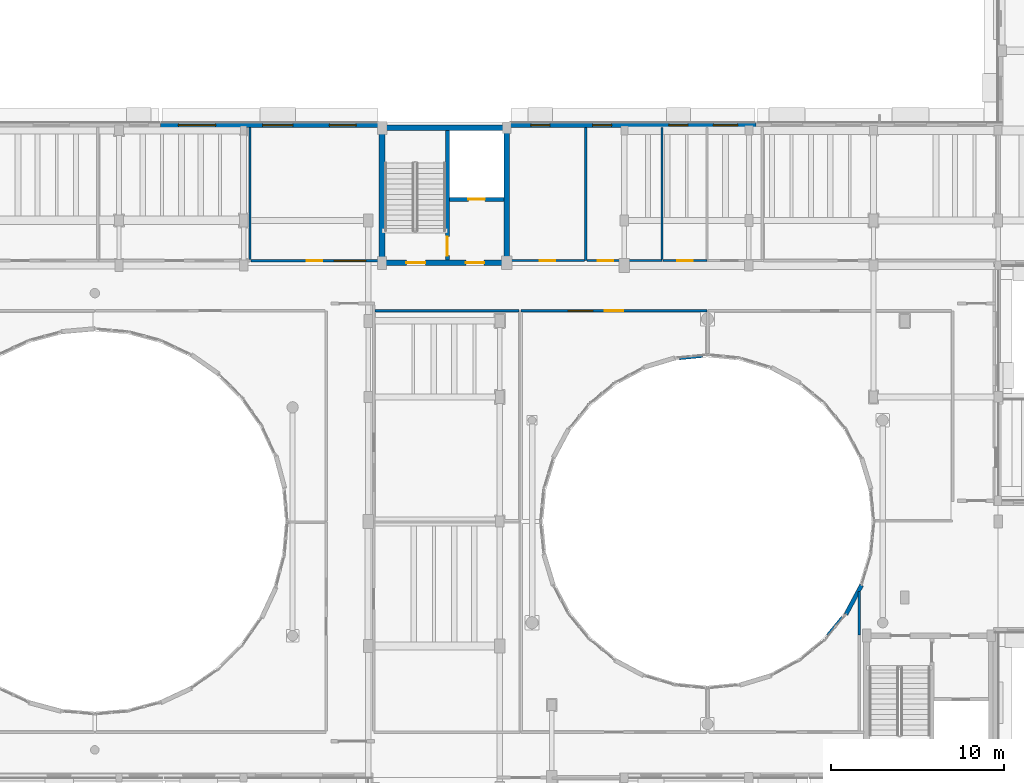
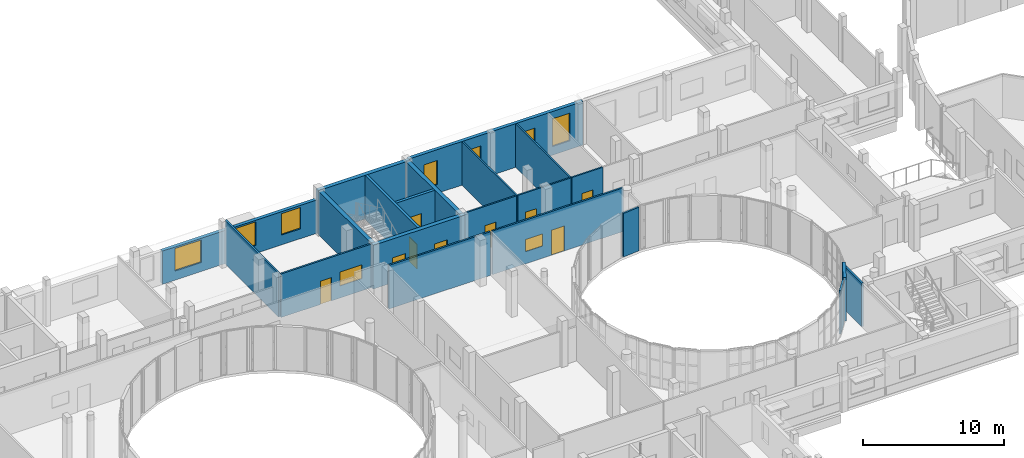
# One storey, part 71 of 92: 21 walls, 9 doors, 9 windows, 18 openings.
"""IFC4 building model written with IfcOpenShell, lengths in metres."""

from ifc_helpers import new_model, si_unit, direction, frame, frame_2d, origin, place, context, subcontext, project, spatial, rectangle, extrude, material, layer, layer_set, type_object, element, fill, save


model = new_model("IFC4")

# Units and contexts
model_context = context("Model", 3, precision=1e-05, world=origin(), true_north=direction((0.0, 1.0)))
body_context = subcontext(model_context, "Body", "Model", "MODEL_VIEW")
ifc_project = project(units=[si_unit("LENGTHUNIT", "METRE"), si_unit("AREAUNIT", "SQUARE_METRE"), si_unit("VOLUMEUNIT", "CUBIC_METRE"), si_unit("PLANEANGLEUNIT", "RADIAN"), si_unit("MASSUNIT", "GRAM", prefix="KILO")], contexts=[model_context])

# Site, building, storey
site_placement = place(None, origin())
site = spatial("IfcSite", under=ifc_project, at=site_placement, CompositionType="ELEMENT")
building_placement = place(site_placement, origin())
building = spatial("IfcBuilding", under=site, at=building_placement, Name="Kelanivale Promenade Academy", CompositionType="ELEMENT")
storey_placement = place(building_placement, frame((0.0, 0.0, 8.199951171875)))
storey = spatial("IfcBuildingStorey", under=building, at=storey_placement, Name="L02", CompositionType="ELEMENT", Elevation=8.199951171875)

# Wall, openings, doors
ifc_material_1 = material(Name="Concrete C40/50", Category="concrete")
ifc_layer_1 = layer(ifc_material_1, 0.330078125)
ifc_layer_set_1 = layer_set([ifc_layer_1], Name="Concrete C40/50")
wall_type_1 = type_object("IfcWallType", Name="CW-S1 Wall 330mm", PredefinedType="SHEAR", material=ifc_layer_set_1)
wall_1_placement = place(storey_placement, frame((79.8349609375, 71.75, 0.0), z_axis=(0.0, 0.0, 1.0), x_axis=(1.0, 0.0, 0.0)))
wall_1 = element("IfcWall", 1, at=wall_1_placement, inside=storey, type_object=wall_type_1, Name="CORE-2 RC shear wall S L02", PredefinedType="SHEAR", context=body_context, shape_type="SweptSolid", body=[
    extrude(rectangle(XDim=7.530029296875, YDim=0.330078125, at=frame_2d((3.76513671875, 0.0))), origin(), (0.0, 0.0, 1.0), 3.780029296875),
])
opening_1_placement = place(wall_1_placement, frame((5.014892578125, 0.0, 0.0)))
opening_1 = element("IfcOpeningElement", 2, at=opening_1_placement, cuts=wall_1, Name="Opening FD-CORE-2-LB-L02", PredefinedType="OPENING", context=body_context, shape_type="SweptSolid", body=[
    extrude(rectangle(XDim=1.050048828125, YDim=2.14990234375, at=frame_2d((0.52490234375, 1.074951171875))), frame((0.0, 0.175048828125, 0.0), z_axis=(0.0, -1.0, 0.0), x_axis=(1.0, 0.0, 0.0)), (0.0, 0.0, 1.0), 0.35009765625),
])
opening_2_placement = place(wall_1_placement, frame((1.56494140625, 0.0, 0.0)))
opening_2 = element("IfcOpeningElement", 3, at=opening_2_placement, cuts=wall_1, Name="Opening FD-CORE-2-ST-L02", PredefinedType="OPENING", context=body_context, shape_type="SweptSolid", body=[
    extrude(rectangle(XDim=1.10009765625, YDim=2.14990234375, at=frame_2d((0.550048828125, 1.074951171875))), frame((0.0, 0.175048828125, 0.0), z_axis=(0.0, -1.0, 0.0), x_axis=(1.0, 0.0, 0.0)), (0.0, 0.0, 1.0), 0.35009765625),
])
ifc_material_2 = material(Name="Fire-rated steel-core teak veneer", Category="steel")
door_type_1 = type_object("IfcDoorType", Name="DT-F01 Door 1100x2150", OperationType="NOTDEFINED", PredefinedType="DOOR", material=ifc_material_2)
door_1_placement = place(opening_2_placement, frame((1.10009765625, 0.0, 0.0), z_axis=(0.0, 0.0, 1.0), x_axis=(-1.0, 0.0, 0.0)))
door_1 = element("IfcDoor", 4, at=door_1_placement, inside=storey, type_object=door_type_1, Name="CORE-2 protected stair fire door L02", OperationType="SINGLE_SWING_LEFT", OverallHeight=2.14990234375, OverallWidth=1.10009765625, PredefinedType="DOOR", context=body_context, shape_type="SweptSolid", body=[
    extrude(rectangle(XDim=1.10009765625, YDim=2.14990234375, at=frame_2d((0.550048828125, 1.074951171875))), frame((0.0, 0.02490234375, 0.0), z_axis=(0.0, -1.0, 0.0), x_axis=(1.0, 0.0, 0.0)), (0.0, 0.0, 1.0), 0.050048828125),
])
fill(opening_2, door_1)
door_type_2 = type_object("IfcDoorType", Name="DT-F03 Door 1050x2150", OperationType="NOTDEFINED", PredefinedType="DOOR", material=ifc_material_2)
door_2_placement = place(opening_1_placement, origin())
door_2 = element("IfcDoor", 5, at=door_2_placement, inside=storey, type_object=door_type_2, Name="CORE-2 corridor-to-lobby fire door L02", OperationType="SINGLE_SWING_RIGHT", OverallHeight=2.14990234375, OverallWidth=1.050048828125, PredefinedType="DOOR", context=body_context, shape_type="SweptSolid", body=[
    extrude(rectangle(XDim=1.050048828125, YDim=2.14990234375, at=frame_2d((0.52490234375, 1.074951171875))), frame((0.0, 0.02490234375, 0.0), z_axis=(0.0, -1.0, 0.0), x_axis=(1.0, 0.0, 0.0)), (0.0, 0.0, 1.0), 0.050048828125),
])
fill(opening_1, door_2)

# Walls
wall_2_placement = place(storey_placement, frame((79.8349609375, 79.550048828125, 0.0), z_axis=(0.0, 0.0, 1.0), x_axis=(1.0, 0.0, 0.0)))
element("IfcWall", 6, at=wall_2_placement, inside=storey, type_object=wall_type_1, Name="CORE-2 RC shear wall N L02", PredefinedType="SHEAR", context=body_context, shape_type="SweptSolid", body=[
    extrude(rectangle(XDim=7.530029296875, YDim=0.330078125, at=frame_2d((3.76513671875, 0.0))), origin(), (0.0, 0.0, 1.0), 3.780029296875),
])
for number, where, z_axis, x_axis, name in (
    (7, (80.0, 71.9150390625, 0.0), (0.0, 0.0, 1.0), (0.0, 1.0, 0.0), "CORE-2 RC shear wall W L02"),
    (8, (87.199951171875, 71.9150390625, 0.0), (0.0, 0.0, 1.0), (0.0, 1.0, 0.0), "CORE-2 RC shear wall E L02"),
):
    element("IfcWall", number, at=place(storey_placement, frame(where, z_axis=z_axis, x_axis=x_axis)), inside=storey, type_object=wall_type_1, Name=name, PredefinedType="SHEAR", context=body_context, shape_type="SweptSolid", body=[
        extrude(rectangle(XDim=7.469970703125, YDim=0.330078125, at=frame_2d((3.73486328125, 0.0))), origin(), (0.0, 0.0, 1.0), 3.780029296875),
    ])

# Wall, opening, door
ifc_layer_2 = layer(ifc_material_1, 0.22509765625)
ifc_layer_set_2 = layer_set([ifc_layer_2], Name="Concrete C40/50")
wall_type_2 = type_object("IfcWallType", Name="CW-S2 Wall 225mm", PredefinedType="SHEAR", material=ifc_layer_set_2)
wall_3_placement = place(storey_placement, frame((83.885009765625, 75.419921875, 0.0), z_axis=(0.0, 0.0, 1.0), x_axis=(1.0, 0.0, 0.0)))
wall_3 = element("IfcWall", 9, at=wall_3_placement, inside=storey, type_object=wall_type_2, Name="CORE-2 lift shaft front RC wall L02", PredefinedType="SHEAR", context=body_context, shape_type="SweptSolid", body=[
    extrude(rectangle(XDim=3.14990234375, YDim=0.22509765625, at=frame_2d((1.574951171875, 0.0))), origin(), (0.0, 0.0, 1.0), 3.780029296875),
])
opening_3_placement = place(wall_3_placement, frame((1.10009765625, 0.0, 0.0)))
opening_3 = element("IfcOpeningElement", 10, at=opening_3_placement, cuts=wall_3, Name="Opening LD-LF-FF2-L02", PredefinedType="OPENING", context=body_context, shape_type="SweptSolid", body=[
    extrude(rectangle(XDim=0.949951171875, YDim=2.14990234375, at=frame_2d((0.47509765625, 1.074951171875))), frame((0.0, 0.12255859375, 0.0), z_axis=(0.0, -1.0, 0.0), x_axis=(1.0, 0.0, 0.0)), (0.0, 0.0, 1.0), 0.2451171875),
])
door_type_3 = type_object("IfcDoorType", Name="LD-FF1 Door 950x2150", OperationType="NOTDEFINED", PredefinedType="DOOR", material=ifc_material_2)
door_3_placement = place(opening_3_placement, origin())
door_3 = element("IfcDoor", 11, at=door_3_placement, inside=storey, type_object=door_type_3, Name="Firefighting lift landing door LD-LF-FF2-L02", OperationType="SLIDING_TO_LEFT", OverallHeight=2.14990234375, OverallWidth=0.949951171875, PredefinedType="DOOR", context=body_context, shape_type="SweptSolid", body=[
    extrude(rectangle(XDim=0.949951171875, YDim=2.14990234375, at=frame_2d((0.47509765625, 1.074951171875))), frame((0.0, 0.02490234375, 0.0), z_axis=(0.0, -1.0, 0.0), x_axis=(1.0, 0.0, 0.0)), (0.0, 0.0, 1.0), 0.050048828125),
])
fill(opening_3, door_3)

ifc_layer_3 = layer(ifc_material_1, 0.219970703125)
ifc_layer_set_3 = layer_set([ifc_layer_3], Name="Concrete C40/50")
wall_type_3 = type_object("IfcWallType", Name="CW-S3 Wall 220mm", PredefinedType="SHEAR", material=ifc_layer_set_3)
wall_4_placement = place(storey_placement, frame((83.77490234375, 71.9150390625, 0.0), z_axis=(0.0, 0.0, 1.0), x_axis=(0.0, 1.0, 0.0)))
wall_4 = element("IfcWall", 12, at=wall_4_placement, inside=storey, type_object=wall_type_3, Name="CORE-2 stair-lobby dividing RC wall L02", PredefinedType="SHEAR", context=body_context, shape_type="SweptSolid", body=[
    extrude(rectangle(XDim=7.469970703125, YDim=0.219970703125, at=frame_2d((3.73486328125, 0.0))), origin(), (0.0, 0.0, 1.0), 3.780029296875),
])
opening_4_placement = place(wall_4_placement, frame((0.25, 0.0, 0.0)))
opening_4 = element("IfcOpeningElement", 13, at=opening_4_placement, cuts=wall_4, Name="Opening FD-CORE-2-SL-L02", PredefinedType="OPENING", context=body_context, shape_type="SweptSolid", body=[
    extrude(rectangle(XDim=1.10009765625, YDim=2.14990234375, at=frame_2d((0.550048828125, 1.074951171875))), frame((0.0, 0.1201171875, 0.0), z_axis=(0.0, -1.0, 0.0), x_axis=(1.0, 0.0, 0.0)), (0.0, 0.0, 1.0), 0.239990234375),
])
door_4_placement = place(opening_4_placement, origin())
door_4 = element("IfcDoor", 14, at=door_4_placement, inside=storey, type_object=door_type_1, Name="CORE-2 lobby-to-stair fire door L02", OperationType="SINGLE_SWING_LEFT", OverallHeight=2.14990234375, OverallWidth=1.10009765625, PredefinedType="DOOR", context=body_context, shape_type="SweptSolid", body=[
    extrude(rectangle(XDim=1.10009765625, YDim=2.14990234375, at=frame_2d((0.550048828125, 1.074951171875))), frame((0.0, 0.02490234375, 0.0), z_axis=(0.0, -1.0, 0.0), x_axis=(1.0, 0.0, 0.0)), (0.0, 0.0, 1.0), 0.050048828125),
])
fill(opening_4, door_4)

# Wall, openings, windows
ifc_material_3 = material(Name="Insulated ivory stucco masonry wall 280 mm", Category="masonry")
ifc_layer_4 = layer(ifc_material_3, 0.280029296875)
ifc_layer_set_4 = layer_set([ifc_layer_4], Name="Insulated ivory stucco masonry wall 280 mm")
wall_type_4 = type_object("IfcWallType", Name="EW-02 Wall 280mm", PredefinedType="SOLIDWALL", material=ifc_layer_set_4)
wall_5_placement = place(storey_placement, frame((101.623046875, 79.7099609375, 0.0), z_axis=(0.0, 0.0, 1.0), x_axis=(-1.0, 0.0, 0.0)))
wall_5 = element("IfcWall", 15, at=wall_5_placement, inside=storey, type_object=wall_type_4, Name="L02 exterior facade wall EW-L02-ORT-0434", PredefinedType="SOLIDWALL", context=body_context, shape_type="SweptSolid", body=[
    extrude(rectangle(XDim=14.258056640625, YDim=0.280029296875, at=frame_2d((7.12890625, 0.0))), origin(), (0.0, 0.0, 1.0), 3.780029296875),
])
opening_5_placement = place(wall_5_placement, frame((1.08203125, 0.0, 0.75)))
opening_5 = element("IfcOpeningElement", 16, at=opening_5_placement, cuts=wall_5, Name="Opening WT-13", PredefinedType="OPENING", context=body_context, shape_type="SweptSolid", body=[
    extrude(rectangle(XDim=1.39990234375, YDim=2.39990234375, at=frame_2d((0.699951171875, 1.199951171875))), frame((0.0, 0.14990234375, 0.0), z_axis=(0.0, -1.0, 0.0), x_axis=(1.0, 0.0, 0.0)), (0.0, 0.0, 1.0), 0.300048828125),
])
opening_6_placement = place(wall_5_placement, frame((3.947021484375, 0.0, 0.75)))
opening_6 = element("IfcOpeningElement", 17, at=opening_6_placement, cuts=wall_5, Name="Opening WT-17", PredefinedType="OPENING", context=body_context, shape_type="SweptSolid", body=[
    extrude(rectangle(XDim=1.10009765625, YDim=2.10009765625, at=frame_2d((0.550048828125, 1.050048828125))), frame((0.0, 0.14990234375, 0.0), z_axis=(0.0, -1.0, 0.0), x_axis=(1.0, 0.0, 0.0)), (0.0, 0.0, 1.0), 0.300048828125),
])
opening_7_placement = place(wall_5_placement, frame((8.361083984375, 0.0, 0.75)))
opening_7 = element("IfcOpeningElement", 18, at=opening_7_placement, cuts=wall_5, Name="Opening WT-17", PredefinedType="OPENING", context=body_context, shape_type="SweptSolid", body=[
    extrude(rectangle(XDim=1.10009765625, YDim=2.10009765625, at=frame_2d((0.550048828125, 1.050048828125))), frame((0.0, 0.14990234375, 0.0), z_axis=(0.0, -1.0, 0.0), x_axis=(1.0, 0.0, 0.0)), (0.0, 0.0, 1.0), 0.300048828125),
])
opening_8_placement = place(wall_5_placement, frame((11.926025390625, 0.0, 0.75)))
opening_8 = element("IfcOpeningElement", 19, at=opening_8_placement, cuts=wall_5, Name="Opening WT-17", PredefinedType="OPENING", context=body_context, shape_type="SweptSolid", body=[
    extrude(rectangle(XDim=1.10009765625, YDim=2.10009765625, at=frame_2d((0.550048828125, 1.050048828125))), frame((0.0, 0.14990234375, 0.0), z_axis=(0.0, -1.0, 0.0), x_axis=(1.0, 0.0, 0.0)), (0.0, 0.0, 1.0), 0.300048828125),
])
ifc_material_4 = material(Name="Bronze anodised aluminium frame with low-E laminated glass", Category="aluminium")
window_type_1 = type_object("IfcWindowType", Name="WT-13 Window 1400x2400", PartitioningType="SINGLE_PANEL", PredefinedType="WINDOW", material=ifc_material_4)
window_1_placement = place(opening_5_placement, origin())
window_1 = element("IfcWindow", 20, at=window_1_placement, inside=storey, type_object=window_type_1, Name="Window WT-13", OverallHeight=2.39990234375, OverallWidth=1.39990234375, PartitioningType="SINGLE_PANEL", PredefinedType="WINDOW", context=body_context, shape_type="SweptSolid", body=[
    extrude(rectangle(XDim=1.39990234375, YDim=2.39990234375, at=frame_2d((0.699951171875, 1.199951171875))), frame((0.0, 0.030029296875, 0.0), z_axis=(0.0, -1.0, 0.0), x_axis=(1.0, 0.0, 0.0)), (0.0, 0.0, 1.0), 0.06005859375),
])
fill(opening_5, window_1)
window_type_2 = type_object("IfcWindowType", Name="WT-17 Window 1100x2100", PartitioningType="SINGLE_PANEL", PredefinedType="WINDOW", material=ifc_material_4)
window_2_placement = place(opening_6_placement, origin())
window_2 = element("IfcWindow", 21, at=window_2_placement, inside=storey, type_object=window_type_2, Name="Window WT-17", OverallHeight=2.10009765625, OverallWidth=1.10009765625, PartitioningType="SINGLE_PANEL", PredefinedType="WINDOW", context=body_context, shape_type="SweptSolid", body=[
    extrude(rectangle(XDim=1.10009765625, YDim=2.10009765625, at=frame_2d((0.550048828125, 1.050048828125))), frame((0.0, 0.030029296875, 0.0), z_axis=(0.0, -1.0, 0.0), x_axis=(1.0, 0.0, 0.0)), (0.0, 0.0, 1.0), 0.06005859375),
])
fill(opening_6, window_2)
window_3_placement = place(opening_7_placement, origin())
window_3 = element("IfcWindow", 22, at=window_3_placement, inside=storey, type_object=window_type_2, Name="Window WT-17", OverallHeight=2.10009765625, OverallWidth=1.10009765625, PartitioningType="SINGLE_PANEL", PredefinedType="WINDOW", context=body_context, shape_type="SweptSolid", body=[
    extrude(rectangle(XDim=1.10009765625, YDim=2.10009765625, at=frame_2d((0.550048828125, 1.050048828125))), frame((0.0, 0.030029296875, 0.0), z_axis=(0.0, -1.0, 0.0), x_axis=(1.0, 0.0, 0.0)), (0.0, 0.0, 1.0), 0.06005859375),
])
fill(opening_7, window_3)
window_4_placement = place(opening_8_placement, origin())
window_4 = element("IfcWindow", 23, at=window_4_placement, inside=storey, type_object=window_type_2, Name="Window WT-17", OverallHeight=2.10009765625, OverallWidth=1.10009765625, PartitioningType="SINGLE_PANEL", PredefinedType="WINDOW", context=body_context, shape_type="SweptSolid", body=[
    extrude(rectangle(XDim=1.10009765625, YDim=2.10009765625, at=frame_2d((0.550048828125, 1.050048828125))), frame((0.0, 0.030029296875, 0.0), z_axis=(0.0, -1.0, 0.0), x_axis=(1.0, 0.0, 0.0)), (0.0, 0.0, 1.0), 0.06005859375),
])
fill(opening_8, window_4)

wall_6_placement = place(storey_placement, frame((79.8349609375, 79.7099609375, 0.0), z_axis=(0.0, 0.0, 1.0), x_axis=(-1.0, 0.0, 0.0)))
wall_6 = element("IfcWall", 24, at=wall_6_placement, inside=storey, type_object=wall_type_4, Name="L02 exterior facade wall EW-L02-ORT-0435", PredefinedType="SOLIDWALL", context=body_context, shape_type="SweptSolid", body=[
    extrude(rectangle(XDim=12.635009765625, YDim=0.280029296875, at=frame_2d((6.3173828125, 0.0))), origin(), (0.0, 0.0, 1.0), 2.875),
])
opening_9_placement = place(wall_6_placement, frame((1.3310546875, 0.0, 0.85009765625)))
opening_9 = element("IfcOpeningElement", 25, at=opening_9_placement, cuts=wall_6, Name="Opening WT-31", PredefinedType="OPENING", context=body_context, shape_type="SweptSolid", body=[
    extrude(rectangle(XDim=1.550048828125, YDim=1.85009765625, at=frame_2d((0.77490234375, 0.925048828125))), frame((0.0, 0.14990234375, 0.0), z_axis=(0.0, -1.0, 0.0), x_axis=(1.0, 0.0, 0.0)), (0.0, 0.0, 1.0), 0.300048828125),
])
opening_10_placement = place(wall_6_placement, frame((4.991943359375, 0.0, 0.68505859375)))
opening_10 = element("IfcOpeningElement", 26, at=opening_10_placement, cuts=wall_6, Name="Opening WT-32", PredefinedType="OPENING", context=body_context, shape_type="SweptSolid", body=[
    extrude(rectangle(XDim=1.75, YDim=2.050048828125, at=frame_2d((0.875, 1.02490234375))), frame((0.0, 0.14990234375, 0.0), z_axis=(0.0, -1.0, 0.0), x_axis=(1.0, 0.0, 0.0)), (0.0, 0.0, 1.0), 0.300048828125),
])
opening_11_placement = place(wall_6_placement, frame((9.4541015625, 0.0, 0.784912109375)))
opening_11 = element("IfcOpeningElement", 27, at=opening_11_placement, cuts=wall_6, Name="Opening WT-33", PredefinedType="OPENING", context=body_context, shape_type="SweptSolid", body=[
    extrude(rectangle(XDim=2.14990234375, YDim=1.949951171875, at=frame_2d((1.074951171875, 0.97509765625))), frame((0.0, 0.14990234375, 0.0), z_axis=(0.0, -1.0, 0.0), x_axis=(1.0, 0.0, 0.0)), (0.0, 0.0, 1.0), 0.300048828125),
])
window_type_3 = type_object("IfcWindowType", Name="WT-31 Window 1550x1850", PartitioningType="SINGLE_PANEL", PredefinedType="WINDOW", material=ifc_material_4)
window_5_placement = place(opening_9_placement, origin())
window_5 = element("IfcWindow", 28, at=window_5_placement, inside=storey, type_object=window_type_3, Name="Window WT-31", OverallHeight=1.85009765625, OverallWidth=1.550048828125, PartitioningType="SINGLE_PANEL", PredefinedType="WINDOW", context=body_context, shape_type="SweptSolid", body=[
    extrude(rectangle(XDim=1.550048828125, YDim=1.85009765625, at=frame_2d((0.77490234375, 0.925048828125))), frame((0.0, 0.030029296875, 0.0), z_axis=(0.0, -1.0, 0.0), x_axis=(1.0, 0.0, 0.0)), (0.0, 0.0, 1.0), 0.06005859375),
])
fill(opening_9, window_5)
window_type_4 = type_object("IfcWindowType", Name="WT-32 Window 1750x2050", PartitioningType="SINGLE_PANEL", PredefinedType="WINDOW", material=ifc_material_4)
window_6_placement = place(opening_10_placement, origin())
window_6 = element("IfcWindow", 29, at=window_6_placement, inside=storey, type_object=window_type_4, Name="Window WT-32", OverallHeight=2.050048828125, OverallWidth=1.75, PartitioningType="SINGLE_PANEL", PredefinedType="WINDOW", context=body_context, shape_type="SweptSolid", body=[
    extrude(rectangle(XDim=1.75, YDim=2.050048828125, at=frame_2d((0.875, 1.02490234375))), frame((0.0, 0.030029296875, 0.0), z_axis=(0.0, -1.0, 0.0), x_axis=(1.0, 0.0, 0.0)), (0.0, 0.0, 1.0), 0.06005859375),
])
fill(opening_10, window_6)
window_type_5 = type_object("IfcWindowType", Name="WT-33 Window 2150x1950", PartitioningType="SINGLE_PANEL", PredefinedType="WINDOW", material=ifc_material_4)
window_7_placement = place(opening_11_placement, origin())
window_7 = element("IfcWindow", 30, at=window_7_placement, inside=storey, type_object=window_type_5, Name="Window WT-33", OverallHeight=1.949951171875, OverallWidth=2.14990234375, PartitioningType="SINGLE_PANEL", PredefinedType="WINDOW", context=body_context, shape_type="SweptSolid", body=[
    extrude(rectangle(XDim=2.14990234375, YDim=1.949951171875, at=frame_2d((1.074951171875, 0.97509765625))), frame((0.0, 0.030029296875, 0.0), z_axis=(0.0, -1.0, 0.0), x_axis=(1.0, 0.0, 0.0)), (0.0, 0.0, 1.0), 0.06005859375),
])
fill(opening_11, window_7)

# Walls
ifc_material_5 = material(Name="Insulated courtyard stucco masonry wall 240 mm", Category="masonry")
ifc_layer_5 = layer(ifc_material_5, 0.239990234375)
ifc_layer_set_5 = layer_set([ifc_layer_5], Name="Insulated courtyard stucco masonry wall 240 mm")
wall_type_5 = type_object("IfcWallType", Name="EW-04 Wall 240mm", PredefinedType="SOLIDWALL", material=ifc_layer_set_5)
wall_7_placement = place(storey_placement, frame((106.81005859375, 51.43408203125, 0.0), z_axis=(0.0, 0.0, 1.0), x_axis=(0.471449153109, 0.881893245259, 0.0)))
element("IfcWall", 31, at=wall_7_placement, inside=storey, type_object=wall_type_5, Name="L02 round courtyard stucco wall", PredefinedType="SOLIDWALL", context=body_context, shape_type="SweptSolid", body=[
    extrude(rectangle(XDim=1.912841796875, YDim=0.239990234375, at=frame_2d((0.95654296875, 0.0))), origin(), (0.0, 0.0, 1.0), 3.780029296875),
])
ifc_material_6 = material(Name="Acoustic double-stud gypsum board partition 140 mm", Category="masonry")
ifc_layer_6 = layer(ifc_material_6, 0.139892578125)
ifc_layer_set_6 = layer_set([ifc_layer_6], Name="Acoustic double-stud gypsum board partition 140 mm")
wall_type_6 = type_object("IfcWallType", Name="IW-04 Wall 140mm", PredefinedType="PARTITIONING", material=ifc_layer_set_6)
wall_8_placement = place(storey_placement, frame((87.902099609375, 68.969970703125, 0.0), z_axis=(0.0, 0.0, 1.0), x_axis=(-1.0, 0.0, 0.0)))
element("IfcWall", 32, at=wall_8_placement, inside=storey, type_object=wall_type_6, Name="L02 partition Mathematics Classroom", PredefinedType="PARTITIONING", context=body_context, shape_type="SweptSolid", body=[
    extrude(rectangle(XDim=8.30419921875, YDim=0.139892578125, at=frame_2d((4.152099609375, 0.0))), origin(), (0.0, 0.0, 1.0), 3.775146484375),
])
wall_9_placement = place(storey_placement, frame((107.570068359375, 50.22998046875, 0.0), z_axis=(0.0, 0.0, 1.0), x_axis=(0.0, 1.0, 0.0)))
element("IfcWall", 33, at=wall_9_placement, inside=storey, type_object=wall_type_6, Name="L02 partition Secondary Classroom East A", PredefinedType="PARTITIONING", context=body_context, shape_type="SweptSolid", body=[
    extrude(rectangle(XDim=2.5400390625, YDim=0.139892578125, at=frame_2d((1.27001953125, 0.0))), origin(), (0.0, 0.0, 1.0), 3.775146484375),
])
wall_10_placement = place(storey_placement, frame((106.593017578125, 51.281982421875, 0.0), z_axis=(0.0, 0.0, 1.0), x_axis=(-0.634451674201, -0.772962530207, 0.0)))
element("IfcWall", 34, at=wall_10_placement, inside=storey, type_object=wall_type_6, Name="L02 partition Secondary Classroom East A", PredefinedType="PARTITIONING", context=body_context, shape_type="SweptSolid", body=[
    extrude(rectangle(XDim=1.357177734375, YDim=0.139892578125, at=frame_2d((0.6787109375, 0.0))), origin(), (0.0, 0.0, 1.0), 3.775146484375),
])
wall_11_placement = place(storey_placement, frame((97.19189453125, 66.2109375, 0.0), z_axis=(0.0, 0.0, 1.0), x_axis=(0.995112801185, 0.098744685517, 0.0)))
element("IfcWall", 35, at=wall_11_placement, inside=storey, type_object=wall_type_6, Name="L02 partition Mathematics Classroom Courtyard East-North", PredefinedType="PARTITIONING", context=body_context, shape_type="SweptSolid", body=[
    extrude(rectangle(XDim=1.337646484375, YDim=0.139892578125, at=frame_2d((0.6689453125, 0.0))), origin(), (0.0, 0.0, 1.0), 3.775146484375),
])

# Wall, openings, door, window
wall_12_placement = place(storey_placement, frame((98.77001953125, 68.969970703125, 0.0), z_axis=(0.0, 0.0, 1.0), x_axis=(-1.0, 0.0, 0.0)))
wall_12 = element("IfcWall", 36, at=wall_12_placement, inside=storey, type_object=wall_type_6, Name="L02 partition Mathematics Classroom Courtyard East-North", PredefinedType="PARTITIONING", context=body_context, shape_type="SweptSolid", body=[
    extrude(rectangle(XDim=10.73193359375, YDim=0.139892578125, at=frame_2d((5.365966796875, 0.0))), origin(), (0.0, 0.0, 1.0), 3.775146484375),
])
opening_12_placement = place(wall_12_placement, frame((4.825927734375, 0.0, 0.0)))
opening_12 = element("IfcOpeningElement", 37, at=opening_12_placement, cuts=wall_12, Name="Opening ID-L02-127", PredefinedType="OPENING", context=body_context, shape_type="SweptSolid", body=[
    extrude(rectangle(XDim=1.080078125, YDim=2.159912109375, at=frame_2d((0.5400390625, 1.080078125))), frame((0.0, 0.080078125, 0.0), z_axis=(0.0, -1.0, 0.0), x_axis=(1.0, 0.0, 0.0)), (0.0, 0.0, 1.0), 0.159912109375),
])
opening_13_placement = place(wall_12_placement, frame((6.60595703125, 0.0, 1.050048828125)))
opening_13 = element("IfcOpeningElement", 38, at=opening_13_placement, cuts=wall_12, Name="Opening WT-I03", PredefinedType="OPENING", context=body_context, shape_type="SweptSolid", body=[
    extrude(rectangle(XDim=1.39990234375, YDim=1.050048828125, at=frame_2d((0.699951171875, 0.52490234375))), frame((0.0, 0.080078125, 0.0), z_axis=(0.0, -1.0, 0.0), x_axis=(1.0, 0.0, 0.0)), (0.0, 0.0, 1.0), 0.159912109375),
])
ifc_material_7 = material(Name="Solid-core tropical teak timber", Category="wood")
door_type_4 = type_object("IfcDoorType", Name="DT-I16 Door 1080x2160", OperationType="NOTDEFINED", PredefinedType="DOOR", material=ifc_material_7)
door_5_placement = place(opening_12_placement, origin())
door_5 = element("IfcDoor", 39, at=door_5_placement, inside=storey, type_object=door_type_4, Name="Mathematics Classroom Courtyard East-North door ID-L02-127", OperationType="SINGLE_SWING_RIGHT", OverallHeight=2.159912109375, OverallWidth=1.080078125, PredefinedType="DOOR", context=body_context, shape_type="SweptSolid", body=[
    extrude(rectangle(XDim=1.080078125, YDim=2.159912109375, at=frame_2d((0.5400390625, 1.080078125))), frame((0.0, 0.02490234375, 0.0), z_axis=(0.0, -1.0, 0.0), x_axis=(1.0, 0.0, 0.0)), (0.0, 0.0, 1.0), 0.050048828125),
])
fill(opening_12, door_5)
window_type_6 = type_object("IfcWindowType", Name="WT-I03 Window 1400x1050", PartitioningType="SINGLE_PANEL", PredefinedType="WINDOW", material=ifc_material_4)
window_8_placement = place(opening_13_placement, origin())
window_8 = element("IfcWindow", 40, at=window_8_placement, inside=storey, type_object=window_type_6, Name="Interior observation window WT-I03", OverallHeight=1.050048828125, OverallWidth=1.39990234375, PartitioningType="SINGLE_PANEL", PredefinedType="WINDOW", context=body_context, shape_type="SweptSolid", body=[
    extrude(rectangle(XDim=1.39990234375, YDim=1.050048828125, at=frame_2d((0.699951171875, 0.52490234375))), frame((0.0, 0.030029296875, 0.0), z_axis=(0.0, -1.0, 0.0), x_axis=(1.0, 0.0, 0.0)), (0.0, 0.0, 1.0), 0.06005859375),
])
fill(opening_13, window_8)

# Wall
wall_13_placement = place(storey_placement, frame((72.3701171875, 71.947998046875, 0.0), z_axis=(0.0, 0.0, 1.0), x_axis=(0.0, 1.0, 0.0)))
element("IfcWall", 41, at=wall_13_placement, inside=storey, type_object=wall_type_6, Name="L02 partition Mathematics Classroom North", PredefinedType="PARTITIONING", context=body_context, shape_type="SweptSolid", body=[
    extrude(rectangle(XDim=7.6240234375, YDim=0.139892578125, at=frame_2d((3.81201171875, 0.0))), origin(), (0.0, 0.0, 1.0), 3.775146484375),
])

# Wall, openings, door, window
wall_14_placement = place(storey_placement, frame((72.429931640625, 71.8798828125, 0.0), z_axis=(0.0, 0.0, 1.0), x_axis=(1.0, 0.0, 0.0)))
wall_14 = element("IfcWall", 42, at=wall_14_placement, inside=storey, type_object=wall_type_6, Name="L02 partition Academic Resource Store", PredefinedType="PARTITIONING", context=body_context, shape_type="SweptSolid", body=[
    extrude(rectangle(XDim=7.340087890625, YDim=0.139892578125, at=frame_2d((3.669921875, 0.0))), origin(), (0.0, 0.0, 1.0), 3.775146484375),
])
opening_14_placement = place(wall_14_placement, frame((3.219970703125, 0.0, 0.0)))
opening_14 = element("IfcOpeningElement", 43, at=opening_14_placement, cuts=wall_14, Name="Opening ID-L02-135", PredefinedType="OPENING", context=body_context, shape_type="SweptSolid", body=[
    extrude(rectangle(XDim=0.89990234375, YDim=2.02001953125, at=frame_2d((0.449951171875, 1.010009765625))), frame((0.0, 0.080078125, 0.0), z_axis=(0.0, -1.0, 0.0), x_axis=(1.0, 0.0, 0.0)), (0.0, 0.0, 1.0), 0.159912109375),
])
opening_15_placement = place(wall_14_placement, frame((4.820068359375, 0.0, 1.050048828125)))
opening_15 = element("IfcOpeningElement", 44, at=opening_15_placement, cuts=wall_14, Name="Opening WT-I02", PredefinedType="OPENING", context=body_context, shape_type="SweptSolid", body=[
    extrude(rectangle(XDim=1.800048828125, YDim=1.199951171875, at=frame_2d((0.89990234375, 0.60009765625))), frame((0.0, 0.080078125, 0.0), z_axis=(0.0, -1.0, 0.0), x_axis=(1.0, 0.0, 0.0)), (0.0, 0.0, 1.0), 0.159912109375),
])
door_type_5 = type_object("IfcDoorType", Name="DT-I08 Door 900x2020", OperationType="NOTDEFINED", PredefinedType="DOOR", material=ifc_material_7)
door_6_placement = place(opening_14_placement, origin())
door_6 = element("IfcDoor", 45, at=door_6_placement, inside=storey, type_object=door_type_5, Name="Academic Resource Store door ID-L02-135", OperationType="SINGLE_SWING_RIGHT", OverallHeight=2.02001953125, OverallWidth=0.89990234375, PredefinedType="DOOR", context=body_context, shape_type="SweptSolid", body=[
    extrude(rectangle(XDim=0.89990234375, YDim=2.02001953125, at=frame_2d((0.449951171875, 1.010009765625))), frame((0.0, 0.02490234375, 0.0), z_axis=(0.0, -1.0, 0.0), x_axis=(1.0, 0.0, 0.0)), (0.0, 0.0, 1.0), 0.050048828125),
])
fill(opening_14, door_6)
window_type_7 = type_object("IfcWindowType", Name="WT-I02 Window 1800x1200", PartitioningType="SINGLE_PANEL", PredefinedType="WINDOW", material=ifc_material_4)
window_9_placement = place(opening_15_placement, origin())
window_9 = element("IfcWindow", 46, at=window_9_placement, inside=storey, type_object=window_type_7, Name="Interior observation window WT-I02", OverallHeight=1.199951171875, OverallWidth=1.800048828125, PartitioningType="SINGLE_PANEL", PredefinedType="WINDOW", context=body_context, shape_type="SweptSolid", body=[
    extrude(rectangle(XDim=1.800048828125, YDim=1.199951171875, at=frame_2d((0.89990234375, 0.60009765625))), frame((0.0, 0.030029296875, 0.0), z_axis=(0.0, -1.0, 0.0), x_axis=(1.0, 0.0, 0.0)), (0.0, 0.0, 1.0), 0.06005859375),
])
fill(opening_15, window_9)

# Wall
ifc_material_8 = material(Name="Moisture-resistant masonry wet-room partition 125 mm", Category="masonry")
ifc_layer_7 = layer(ifc_material_8, 0.125)
ifc_layer_set_7 = layer_set([ifc_layer_7], Name="Moisture-resistant masonry wet-room partition 125 mm")
wall_type_7 = type_object("IfcWallType", Name="IW-05 Wall 125mm", PredefinedType="PARTITIONING", material=ifc_layer_set_7)
wall_15_placement = place(storey_placement, frame((91.77001953125, 71.8798828125, 0.0), z_axis=(0.0, 0.0, 1.0), x_axis=(0.0, 1.0, 0.0)))
element("IfcWall", 47, at=wall_15_placement, inside=storey, type_object=wall_type_7, Name="L02 partition Boys Washroom", PredefinedType="PARTITIONING", context=body_context, shape_type="SweptSolid", body=[
    extrude(rectangle(XDim=7.692138671875, YDim=0.125, at=frame_2d((3.84619140625, 0.0))), origin(), (0.0, 0.0, 1.0), 3.775146484375),
])

# Wall, opening, door
wall_16_placement = place(storey_placement, frame((87.429931640625, 71.8798828125, 0.0), z_axis=(0.0, 0.0, 1.0), x_axis=(1.0, 0.0, 0.0)))
wall_16 = element("IfcWall", 48, at=wall_16_placement, inside=storey, type_object=wall_type_7, Name="L02 partition Boys Washroom", PredefinedType="PARTITIONING", context=body_context, shape_type="SweptSolid", body=[
    extrude(rectangle(XDim=4.279052734375, YDim=0.125, at=frame_2d((2.1396484375, 0.0))), origin(), (0.0, 0.0, 1.0), 3.775146484375),
])
opening_16_placement = place(wall_16_placement, frame((1.68896484375, 0.0, 0.0)))
opening_16 = element("IfcOpeningElement", 49, at=opening_16_placement, cuts=wall_16, Name="Opening ID-L02-128", PredefinedType="OPENING", context=body_context, shape_type="SweptSolid", body=[
    extrude(rectangle(XDim=0.89990234375, YDim=2.10009765625, at=frame_2d((0.449951171875, 1.050048828125))), frame((0.0, 0.072509765625, 0.0), z_axis=(0.0, -1.0, 0.0), x_axis=(1.0, 0.0, 0.0)), (0.0, 0.0, 1.0), 0.14501953125),
])
door_type_6 = type_object("IfcDoorType", Name="DT-I06 Door 900x2100", OperationType="NOTDEFINED", PredefinedType="DOOR", material=ifc_material_7)
door_7_placement = place(opening_16_placement, origin())
door_7 = element("IfcDoor", 50, at=door_7_placement, inside=storey, type_object=door_type_6, Name="Boys Washroom door ID-L02-128", OperationType="SINGLE_SWING_LEFT", OverallHeight=2.10009765625, OverallWidth=0.89990234375, PredefinedType="DOOR", context=body_context, shape_type="SweptSolid", body=[
    extrude(rectangle(XDim=0.89990234375, YDim=2.10009765625, at=frame_2d((0.449951171875, 1.050048828125))), frame((0.0, 0.02490234375, 0.0), z_axis=(0.0, -1.0, 0.0), x_axis=(1.0, 0.0, 0.0)), (0.0, 0.0, 1.0), 0.050048828125),
])
fill(opening_16, door_7)

wall_17_placement = place(storey_placement, frame((91.8310546875, 71.8798828125, 0.0), z_axis=(0.0, 0.0, 1.0), x_axis=(1.0, 0.0, 0.0)))
wall_17 = element("IfcWall", 51, at=wall_17_placement, inside=storey, type_object=wall_type_7, Name="L02 partition Girls Washroom", PredefinedType="PARTITIONING", context=body_context, shape_type="SweptSolid", body=[
    extrude(rectangle(XDim=4.3388671875, YDim=0.125, at=frame_2d((2.16943359375, 0.0))), origin(), (0.0, 0.0, 1.0), 3.775146484375),
])
opening_17_placement = place(wall_17_placement, frame((0.618896484375, 0.0, 0.0)))
opening_17 = element("IfcOpeningElement", 52, at=opening_17_placement, cuts=wall_17, Name="Opening ID-L02-129", PredefinedType="OPENING", context=body_context, shape_type="SweptSolid", body=[
    extrude(rectangle(XDim=0.89990234375, YDim=2.10009765625, at=frame_2d((0.449951171875, 1.050048828125))), frame((0.0, 0.072509765625, 0.0), z_axis=(0.0, -1.0, 0.0), x_axis=(1.0, 0.0, 0.0)), (0.0, 0.0, 1.0), 0.14501953125),
])
door_8_placement = place(opening_17_placement, origin())
door_8 = element("IfcDoor", 53, at=door_8_placement, inside=storey, type_object=door_type_6, Name="Girls Washroom door ID-L02-129", OperationType="SINGLE_SWING_RIGHT", OverallHeight=2.10009765625, OverallWidth=0.89990234375, PredefinedType="DOOR", context=body_context, shape_type="SweptSolid", body=[
    extrude(rectangle(XDim=0.89990234375, YDim=2.10009765625, at=frame_2d((0.449951171875, 1.050048828125))), frame((0.0, 0.02490234375, 0.0), z_axis=(0.0, -1.0, 0.0), x_axis=(1.0, 0.0, 0.0)), (0.0, 0.0, 1.0), 0.050048828125),
])
fill(opening_17, door_8)

# Wall
wall_18_placement = place(storey_placement, frame((96.169921875, 71.94091796875, 0.0), z_axis=(0.0, 0.0, 1.0), x_axis=(0.0, 1.0, 0.0)))
element("IfcWall", 54, at=wall_18_placement, inside=storey, type_object=wall_type_7, Name="L02 partition Girls Washroom", PredefinedType="PARTITIONING", context=body_context, shape_type="SweptSolid", body=[
    extrude(rectangle(XDim=7.631103515625, YDim=0.125, at=frame_2d((3.8154296875, 0.0))), origin(), (0.0, 0.0, 1.0), 3.775146484375),
])

# Wall, opening, door
wall_19_placement = place(storey_placement, frame((96.22998046875, 71.8798828125, 0.0), z_axis=(0.0, 0.0, 1.0), x_axis=(1.0, 0.0, 0.0)))
wall_19 = element("IfcWall", 55, at=wall_19_placement, inside=storey, type_object=wall_type_7, Name="L02 partition Staff Washroom", PredefinedType="PARTITIONING", context=body_context, shape_type="SweptSolid", body=[
    extrude(rectangle(XDim=2.5400390625, YDim=0.125, at=frame_2d((1.27001953125, 0.0))), origin(), (0.0, 0.0, 1.0), 3.775146484375),
])
opening_18_placement = place(wall_19_placement, frame((0.820068359375, 0.0, 0.0)))
opening_18 = element("IfcOpeningElement", 56, at=opening_18_placement, cuts=wall_19, Name="Opening ID-L02-130", PredefinedType="OPENING", context=body_context, shape_type="SweptSolid", body=[
    extrude(rectangle(XDim=0.89990234375, YDim=2.10009765625, at=frame_2d((0.449951171875, 1.050048828125))), frame((0.0, 0.072509765625, 0.0), z_axis=(0.0, -1.0, 0.0), x_axis=(1.0, 0.0, 0.0)), (0.0, 0.0, 1.0), 0.14501953125),
])
door_9_placement = place(opening_18_placement, origin())
door_9 = element("IfcDoor", 57, at=door_9_placement, inside=storey, type_object=door_type_6, Name="Staff Washroom door ID-L02-130", OperationType="SINGLE_SWING_LEFT", OverallHeight=2.10009765625, OverallWidth=0.89990234375, PredefinedType="DOOR", context=body_context, shape_type="SweptSolid", body=[
    extrude(rectangle(XDim=0.89990234375, YDim=2.10009765625, at=frame_2d((0.449951171875, 1.050048828125))), frame((0.0, 0.02490234375, 0.0), z_axis=(0.0, -1.0, 0.0), x_axis=(1.0, 0.0, 0.0)), (0.0, 0.0, 1.0), 0.050048828125),
])
fill(opening_18, door_9)

save(model, "model.ifc")
